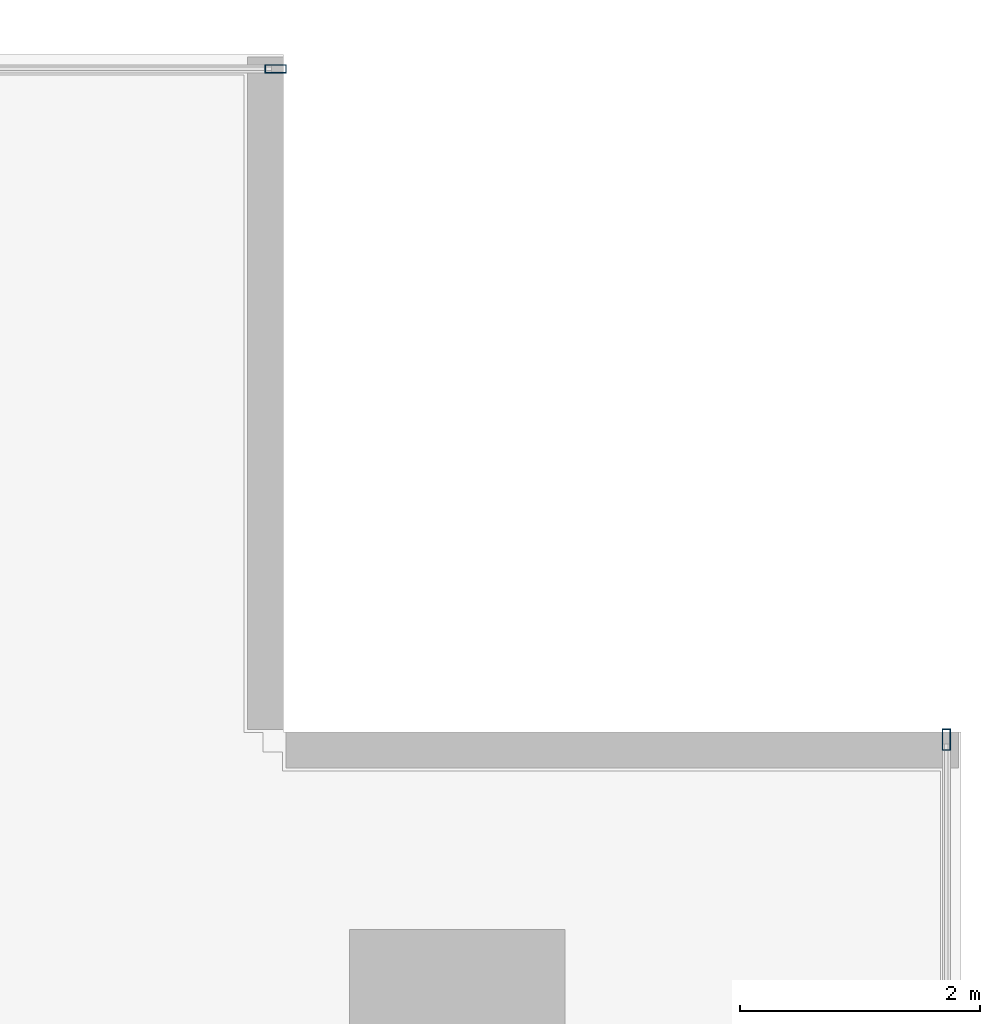
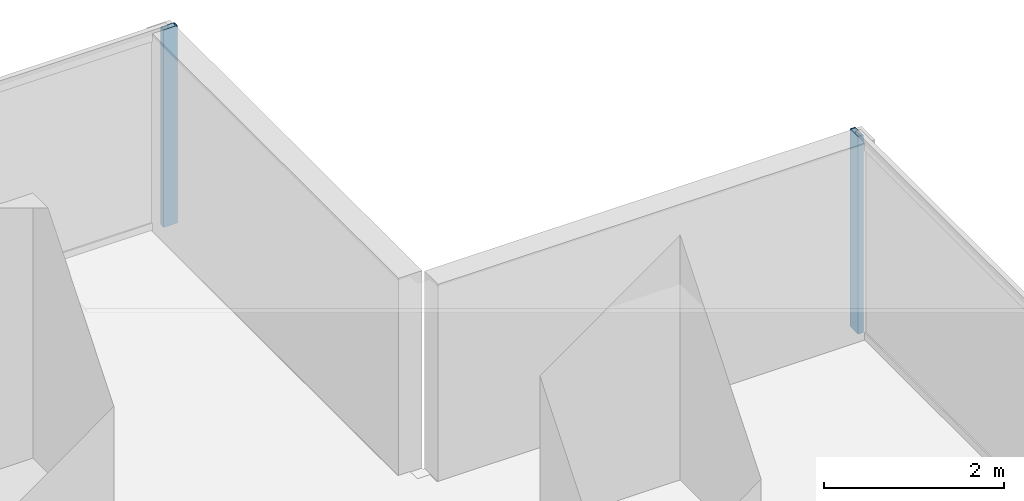
# One storey, part 23 of 33: 2 members, 2 elements without a shape of their own.
"""IFC4 building model written with IfcOpenShell, lengths in metres."""

from ifc_helpers import new_model, si_unit, direction, frame, origin, origin_2d, place, context, subcontext, project, spatial, hollow_rectangle, extrude, source, transform, mapped, material, layer, layer_set, material_profile, profile_set, type_object, element, aggregate, save


model = new_model("IFC4")

# Units and contexts
model_context = context("Model", 3, precision=1e-05, world=origin(), true_north=direction((0.0, 1.0)))
body_context = subcontext(model_context, "Body", "Model", "MODEL_VIEW")
ifc_project = project(units=[si_unit("LENGTHUNIT", "METRE"), si_unit("AREAUNIT", "SQUARE_METRE"), si_unit("VOLUMEUNIT", "CUBIC_METRE"), si_unit("PLANEANGLEUNIT", "RADIAN"), si_unit("MASSUNIT", "GRAM", prefix="KILO")], contexts=[model_context])

# Site, building, storey
site_placement = place(None, origin())
site = spatial("IfcSite", under=ifc_project, at=site_placement, CompositionType="ELEMENT")
building_placement = place(site_placement, origin())
building = spatial("IfcBuilding", under=site, at=building_placement, Name="Sumidabori Civic Tower", CompositionType="ELEMENT")
storey_placement = place(building_placement, frame((0.0, 0.0, 66.800048828125)))
storey = spatial("IfcBuildingStorey", under=building, at=storey_placement, Name="L17", CompositionType="ELEMENT", Elevation=66.800048828125)

# Curtain wall, member
ifc_material = material(Name="Anodised Bronze Aluminium AW-6063-T6", Category="aluminium")
ifc_layer = layer(ifc_material, 0.179931640625, Name="Anodised Bronze Aluminium AW-6063-T6")
ifc_layer_set = layer_set([ifc_layer], Name="Anodised Bronze Aluminium AW-6063-T6")
curtain_wall_type = type_object("IfcCurtainWallType", Name="CW-SYS-2", PredefinedType="NOTDEFINED", material=ifc_layer_set)
curtain_wall_1_placement = place(storey_placement, origin())
curtain_wall_1 = element("IfcCurtainWall", 1, at=curtain_wall_1_placement, inside=storey, type_object=curtain_wall_type, Name="Curtain Wall CW:L17:R04", PredefinedType="NOTDEFINED")
ifc_material_profile = material_profile(ifc_material, hollow_rectangle(XDim=0.070068359375, YDim=0.179931640625, WallThickness=0.006103515625, at=origin_2d()), Name="ALU MULLION 180x70")
ifc_profile_set = profile_set([ifc_material_profile], Name="Anodised Bronze Aluminium AW-6063-T6")
member_type = type_object("IfcMemberType", Name="CW-MUL-180", PredefinedType="MULLION", material=ifc_profile_set)
shared_shape = source(origin(), body_context, "Body", "SweptSolid", [
    extrude(hollow_rectangle(XDim=0.070068359375, YDim=0.179931640625, WallThickness=0.006103515625, at=origin_2d()), origin(), (0.0, 0.0, 1.0), 2.679931640625),
])
member_1_placement = place(storey_placement, frame((26.8798828125, 21.284912109375, 0.0), z_axis=(0.0, 0.0, 1.0), x_axis=(-1.0, 0.0, 0.0)))
member_1 = element("IfcMember", 2, at=member_1_placement, type_object=member_type, Name="CW-2 mullion 6", PredefinedType="MULLION", context=body_context, shape_type="MappedRepresentation", body=[
    mapped(shared_shape, transform((0.0, 0.0, 0.0), x_axis=(1.0, 0.0, 0.0), y_axis=(0.0, 1.0, 0.0), z_axis=(0.0, 0.0, 1.0), scale=1.0)),
])
aggregate(curtain_wall_1, [member_1])

curtain_wall_2_placement = place(storey_placement, origin())
curtain_wall_2 = element("IfcCurtainWall", 3, at=curtain_wall_2_placement, inside=storey, type_object=curtain_wall_type, Name="Curtain Wall CW:L17:R07", PredefinedType="NOTDEFINED")
member_2_placement = place(storey_placement, frame((21.284912109375, 26.8798828125, 0.0), z_axis=(0.0, 0.0, 1.0), x_axis=(0.0, -1.0, 0.0)))
member_2 = element("IfcMember", 4, at=member_2_placement, type_object=member_type, Name="CW-2 mullion 1", PredefinedType="MULLION", context=body_context, shape_type="MappedRepresentation", body=[
    mapped(shared_shape, transform((0.0, 0.0, 0.0), x_axis=(1.0, 0.0, 0.0), y_axis=(0.0, 1.0, 0.0), z_axis=(0.0, 0.0, 1.0), scale=1.0)),
])
aggregate(curtain_wall_2, [member_2])

save(model, "model.ifc")
